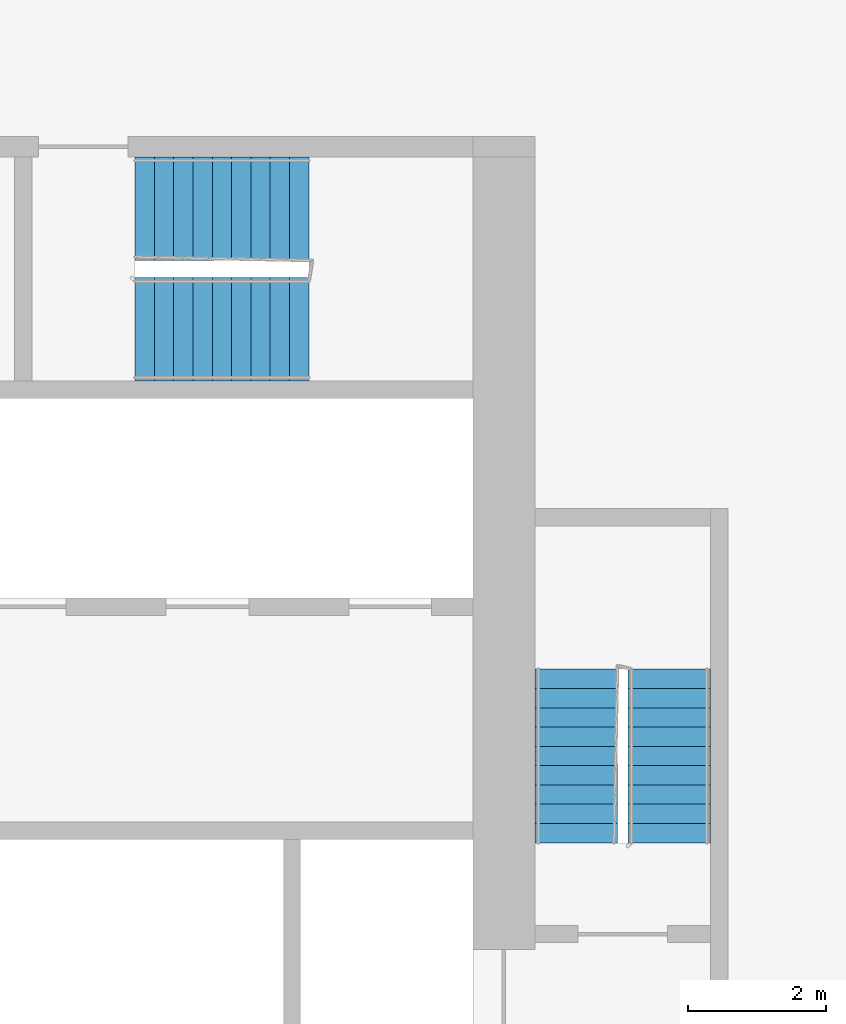
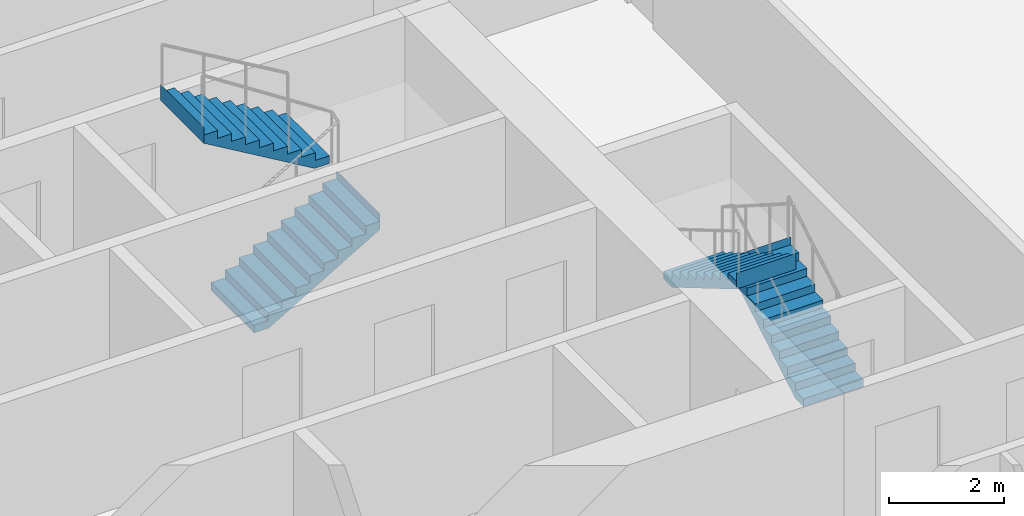
# One storey, part 11 of 12: 4 stair flights, 2 elements without a shape of their own.
"""IFC4 building model written with IfcOpenShell, lengths in metres."""

from ifc_helpers import new_model, si_unit, direction, frame, origin, place, context, subcontext, project, spatial, faceted_brep, material, type_object, element, aggregate, save


model = new_model("IFC4")

# Units and contexts
model_context = context("Model", 3, precision=1e-05, world=origin(), true_north=direction((0.0, 1.0)))
body_context = subcontext(model_context, "Body", "Model", "MODEL_VIEW")
ifc_project = project(units=[si_unit("LENGTHUNIT", "METRE"), si_unit("AREAUNIT", "SQUARE_METRE"), si_unit("VOLUMEUNIT", "CUBIC_METRE"), si_unit("PLANEANGLEUNIT", "RADIAN"), si_unit("MASSUNIT", "GRAM", prefix="KILO")], contexts=[model_context])

# Site, building, storey
site_placement = place(None, origin())
site = spatial("IfcSite", under=ifc_project, at=site_placement, CompositionType="ELEMENT")
building_placement = place(site_placement, origin())
building = spatial("IfcBuilding", under=site, at=building_placement, Name="Kajstack Hotel Tower", CompositionType="ELEMENT")
storey_placement = place(building_placement, frame((0.0, 0.0, 66.60009765625)))
storey = spatial("IfcBuildingStorey", under=building, at=storey_placement, Name="L11", CompositionType="ELEMENT", Elevation=66.60009765625)

# Stair, stair flights
ifc_material = material(Name="Concrete C40/50", Category="concrete")
stair_type_1 = type_object("IfcStairType", Name="Exit stair 1200", PredefinedType="HALF_TURN_STAIR", material=ifc_material)
stair_1_placement = place(storey_placement, origin())
stair_1 = element("IfcStair", 1, at=stair_1_placement, inside=storey, type_object=stair_type_1, Name="L11 stair E1", PredefinedType="HALF_TURN_STAIR")
stair_flight_type_1 = type_object("IfcStairFlightType", Name="Exit stair flight 1200", PredefinedType="STRAIGHT", material=ifc_material)
stair_flight_1_placement = place(storey_placement, frame((33.449951171875, 5.25, 0.0), z_axis=(0.0, 0.0, 1.0), x_axis=(0.0, 1.0, 0.0)))
stair_flight_1 = element("IfcStairFlight", 2, at=stair_flight_1_placement, type_object=stair_flight_type_1, Name="E1 flight 1", NumberOfRisers=10, NumberOfTreads=9, PredefinedType="STRAIGHT", RiserHeight=0.165, TreadLength=0.28, context=body_context, shape_type="Brep", body=[
    faceted_brep([(0.295654296875, -0.60009765625, 0.0), (2.5205078125, -0.60009765625, 1.31103515625), (2.5205078125, -0.60009765625, 1.64990234375), (2.52001953125, -0.60009765625, 1.64990234375), (2.52001953125, -0.60009765625, 1.485107421875), (2.239990234375, -0.60009765625, 1.485107421875), (2.239990234375, -0.60009765625, 1.320068359375), (1.9599609375, -0.60009765625, 1.320068359375), (1.9599609375, -0.60009765625, 1.155029296875), (1.679931640625, -0.60009765625, 1.155029296875), (1.679931640625, -0.60009765625, 0.989990234375), (1.39990234375, -0.60009765625, 0.989990234375), (1.39990234375, -0.60009765625, 0.824951171875), (1.1201171875, -0.60009765625, 0.824951171875), (1.1201171875, -0.60009765625, 0.659912109375), (0.840087890625, -0.60009765625, 0.659912109375), (0.840087890625, -0.60009765625, 0.4951171875), (0.56005859375, -0.60009765625, 0.4951171875), (0.56005859375, -0.60009765625, 0.330078125), (0.280029296875, -0.60009765625, 0.330078125), (0.280029296875, -0.60009765625, 0.1650390625), (-0.00048828125, -0.60009765625, 0.1650390625), (-0.00048828125, -0.60009765625, 0.0), (-0.00048828125, 0.60009765625, 0.0), (-0.00048828125, 0.60009765625, 0.1650390625), (0.280029296875, 0.60009765625, 0.1650390625), (0.280029296875, 0.60009765625, 0.330078125), (0.56005859375, 0.60009765625, 0.330078125), (0.56005859375, 0.60009765625, 0.4951171875), (0.840087890625, 0.60009765625, 0.4951171875), (0.840087890625, 0.60009765625, 0.659912109375), (1.1201171875, 0.60009765625, 0.659912109375), (1.1201171875, 0.60009765625, 0.824951171875), (1.39990234375, 0.60009765625, 0.824951171875), (1.39990234375, 0.60009765625, 0.989990234375), (1.679931640625, 0.60009765625, 0.989990234375), (1.679931640625, 0.60009765625, 1.155029296875), (1.9599609375, 0.60009765625, 1.155029296875), (1.9599609375, 0.60009765625, 1.320068359375), (2.239990234375, 0.60009765625, 1.320068359375), (2.239990234375, 0.60009765625, 1.485107421875), (2.52001953125, 0.60009765625, 1.485107421875), (2.52001953125, 0.60009765625, 1.64990234375), (2.5205078125, 0.60009765625, 1.64990234375), (2.5205078125, 0.60009765625, 1.31103515625), (0.295654296875, 0.60009765625, 0.0), (-0.00048828125, -0.300048828125, 0.1650390625), (-0.00048828125, 0.0, 0.1650390625), (-0.00048828125, 0.300048828125, 0.1650390625), (-0.00048828125, 0.300048828125, 0.0), (-0.00048828125, 0.0, 0.0), (-0.00048828125, -0.300048828125, 0.0), (0.280029296875, -0.300048828125, 0.1650390625), (0.280029296875, 0.0, 0.1650390625), (0.280029296875, 0.300048828125, 0.1650390625), (0.280029296875, -0.300048828125, 0.330078125), (0.280029296875, 0.0, 0.330078125), (0.280029296875, 0.300048828125, 0.330078125), (0.56005859375, -0.300048828125, 0.330078125), (0.56005859375, 0.0, 0.330078125), (0.56005859375, 0.300048828125, 0.330078125), (0.56005859375, -0.300048828125, 0.4951171875), (0.56005859375, 0.0, 0.4951171875), (0.56005859375, 0.300048828125, 0.4951171875), (0.840087890625, -0.300048828125, 0.4951171875), (0.840087890625, 0.0, 0.4951171875), (0.840087890625, 0.300048828125, 0.4951171875), (0.840087890625, -0.300048828125, 0.659912109375), (0.840087890625, 0.0, 0.659912109375), (0.840087890625, 0.300048828125, 0.659912109375), (1.1201171875, -0.300048828125, 0.659912109375), (1.1201171875, 0.0, 0.659912109375), (1.1201171875, 0.300048828125, 0.659912109375), (1.1201171875, -0.300048828125, 0.824951171875), (1.1201171875, 0.0, 0.824951171875), (1.1201171875, 0.300048828125, 0.824951171875), (1.39990234375, -0.300048828125, 0.824951171875), (1.39990234375, 0.0, 0.824951171875), (1.39990234375, 0.300048828125, 0.824951171875), (1.39990234375, -0.300048828125, 0.989990234375), (1.39990234375, 0.0, 0.989990234375), (1.39990234375, 0.300048828125, 0.989990234375), (1.679931640625, -0.300048828125, 0.989990234375), (1.679931640625, 0.0, 0.989990234375), (1.679931640625, 0.300048828125, 0.989990234375), (1.679931640625, -0.300048828125, 1.155029296875), (1.679931640625, 0.0, 1.155029296875), (1.679931640625, 0.300048828125, 1.155029296875), (1.9599609375, -0.300048828125, 1.155029296875), (1.9599609375, 0.0, 1.155029296875), (1.9599609375, 0.300048828125, 1.155029296875), (1.9599609375, -0.300048828125, 1.320068359375), (1.9599609375, 0.0, 1.320068359375), (1.9599609375, 0.300048828125, 1.320068359375), (2.239990234375, -0.300048828125, 1.320068359375), (2.239990234375, 0.0, 1.320068359375), (2.239990234375, 0.300048828125, 1.320068359375), (2.239990234375, -0.300048828125, 1.485107421875), (2.239990234375, 0.0, 1.485107421875), (2.239990234375, 0.300048828125, 1.485107421875), (2.52001953125, -0.300048828125, 1.485107421875), (2.52001953125, 0.0, 1.485107421875), (2.52001953125, 0.300048828125, 1.485107421875), (2.52001953125, -0.300048828125, 1.64990234375), (2.52001953125, 0.0, 1.64990234375), (2.52001953125, 0.300048828125, 1.64990234375), (2.5205078125, -0.300048828125, 1.64990234375), (2.5205078125, 0.0, 1.64990234375), (2.5205078125, 0.300048828125, 1.64990234375), (2.5205078125, -0.300048828125, 1.31103515625), (2.5205078125, 0.0, 1.31103515625), (2.5205078125, 0.300048828125, 1.31103515625), (0.295654296875, -0.300048828125, 0.0), (0.295654296875, 0.0, 0.0), (0.295654296875, 0.300048828125, 0.0)], [[[0, 1, 2, 3, 4, 5, 6, 7, 8, 9, 10, 11, 12, 13, 14, 15, 16, 17, 18, 19, 20, 21, 22]], [[23, 24, 25, 26, 27, 28, 29, 30, 31, 32, 33, 34, 35, 36, 37, 38, 39, 40, 41, 42, 43, 44, 45]], [[21, 46, 47, 48, 24, 23, 49, 50, 51, 22]], [[20, 52, 53, 54, 25, 24, 48, 47, 46, 21]], [[19, 55, 56, 57, 26, 25, 54, 53, 52, 20]], [[18, 58, 59, 60, 27, 26, 57, 56, 55, 19]], [[17, 61, 62, 63, 28, 27, 60, 59, 58, 18]], [[16, 64, 65, 66, 29, 28, 63, 62, 61, 17]], [[15, 67, 68, 69, 30, 29, 66, 65, 64, 16]], [[14, 70, 71, 72, 31, 30, 69, 68, 67, 15]], [[13, 73, 74, 75, 32, 31, 72, 71, 70, 14]], [[12, 76, 77, 78, 33, 32, 75, 74, 73, 13]], [[11, 79, 80, 81, 34, 33, 78, 77, 76, 12]], [[10, 82, 83, 84, 35, 34, 81, 80, 79, 11]], [[9, 85, 86, 87, 36, 35, 84, 83, 82, 10]], [[8, 88, 89, 90, 37, 36, 87, 86, 85, 9]], [[7, 91, 92, 93, 38, 37, 90, 89, 88, 8]], [[6, 94, 95, 96, 39, 38, 93, 92, 91, 7]], [[5, 97, 98, 99, 40, 39, 96, 95, 94, 6]], [[4, 100, 101, 102, 41, 40, 99, 98, 97, 5]], [[3, 103, 104, 105, 42, 41, 102, 101, 100, 4]], [[2, 106, 107, 108, 43, 42, 105, 104, 103, 3]], [[1, 109, 110, 111, 44, 43, 108, 107, 106, 2]], [[0, 112, 113, 114, 45, 44, 111, 110, 109, 1]], [[22, 51, 50, 49, 23, 45, 114, 113, 112, 0]]]),
])
stair_flight_2_placement = place(storey_placement, frame((32.10009765625, 7.77001953125, 1.64990234375), z_axis=(0.0, 0.0, 1.0), x_axis=(0.0, -1.0, 0.0)))
stair_flight_2 = element("IfcStairFlight", 3, at=stair_flight_2_placement, type_object=stair_flight_type_1, Name="E1 flight 2", NumberOfRisers=10, NumberOfTreads=9, PredefinedType="STRAIGHT", RiserHeight=0.165, TreadLength=0.28, context=body_context, shape_type="Brep", body=[
    faceted_brep([(0.295654296875, -0.60009765625, 0.0), (2.5205078125, -0.60009765625, 1.31103515625), (2.5205078125, -0.60009765625, 1.64990234375), (2.52001953125, -0.60009765625, 1.64990234375), (2.52001953125, -0.60009765625, 1.485107421875), (2.239990234375, -0.60009765625, 1.485107421875), (2.239990234375, -0.60009765625, 1.320068359375), (1.9599609375, -0.60009765625, 1.320068359375), (1.9599609375, -0.60009765625, 1.155029296875), (1.679931640625, -0.60009765625, 1.155029296875), (1.679931640625, -0.60009765625, 0.989990234375), (1.39990234375, -0.60009765625, 0.989990234375), (1.39990234375, -0.60009765625, 0.824951171875), (1.1201171875, -0.60009765625, 0.824951171875), (1.1201171875, -0.60009765625, 0.659912109375), (0.840087890625, -0.60009765625, 0.659912109375), (0.840087890625, -0.60009765625, 0.4951171875), (0.56005859375, -0.60009765625, 0.4951171875), (0.56005859375, -0.60009765625, 0.330078125), (0.280029296875, -0.60009765625, 0.330078125), (0.280029296875, -0.60009765625, 0.1650390625), (-0.00048828125, -0.60009765625, 0.1650390625), (-0.00048828125, -0.60009765625, 0.0), (-0.00048828125, 0.60009765625, 0.0), (-0.00048828125, 0.60009765625, 0.1650390625), (0.280029296875, 0.60009765625, 0.1650390625), (0.280029296875, 0.60009765625, 0.330078125), (0.56005859375, 0.60009765625, 0.330078125), (0.56005859375, 0.60009765625, 0.4951171875), (0.840087890625, 0.60009765625, 0.4951171875), (0.840087890625, 0.60009765625, 0.659912109375), (1.1201171875, 0.60009765625, 0.659912109375), (1.1201171875, 0.60009765625, 0.824951171875), (1.39990234375, 0.60009765625, 0.824951171875), (1.39990234375, 0.60009765625, 0.989990234375), (1.679931640625, 0.60009765625, 0.989990234375), (1.679931640625, 0.60009765625, 1.155029296875), (1.9599609375, 0.60009765625, 1.155029296875), (1.9599609375, 0.60009765625, 1.320068359375), (2.239990234375, 0.60009765625, 1.320068359375), (2.239990234375, 0.60009765625, 1.485107421875), (2.52001953125, 0.60009765625, 1.485107421875), (2.52001953125, 0.60009765625, 1.64990234375), (2.5205078125, 0.60009765625, 1.64990234375), (2.5205078125, 0.60009765625, 1.31103515625), (0.295654296875, 0.60009765625, 0.0), (-0.00048828125, -0.300048828125, 0.1650390625), (-0.00048828125, 0.0, 0.1650390625), (-0.00048828125, 0.300048828125, 0.1650390625), (-0.00048828125, 0.300048828125, 0.0), (-0.00048828125, 0.0, 0.0), (-0.00048828125, -0.300048828125, 0.0), (0.280029296875, -0.300048828125, 0.1650390625), (0.280029296875, 0.0, 0.1650390625), (0.280029296875, 0.300048828125, 0.1650390625), (0.280029296875, -0.300048828125, 0.330078125), (0.280029296875, 0.0, 0.330078125), (0.280029296875, 0.300048828125, 0.330078125), (0.56005859375, -0.300048828125, 0.330078125), (0.56005859375, 0.0, 0.330078125), (0.56005859375, 0.300048828125, 0.330078125), (0.56005859375, -0.300048828125, 0.4951171875), (0.56005859375, 0.0, 0.4951171875), (0.56005859375, 0.300048828125, 0.4951171875), (0.840087890625, -0.300048828125, 0.4951171875), (0.840087890625, 0.0, 0.4951171875), (0.840087890625, 0.300048828125, 0.4951171875), (0.840087890625, -0.300048828125, 0.659912109375), (0.840087890625, 0.0, 0.659912109375), (0.840087890625, 0.300048828125, 0.659912109375), (1.1201171875, -0.300048828125, 0.659912109375), (1.1201171875, 0.0, 0.659912109375), (1.1201171875, 0.300048828125, 0.659912109375), (1.1201171875, -0.300048828125, 0.824951171875), (1.1201171875, 0.0, 0.824951171875), (1.1201171875, 0.300048828125, 0.824951171875), (1.39990234375, -0.300048828125, 0.824951171875), (1.39990234375, 0.0, 0.824951171875), (1.39990234375, 0.300048828125, 0.824951171875), (1.39990234375, -0.300048828125, 0.989990234375), (1.39990234375, 0.0, 0.989990234375), (1.39990234375, 0.300048828125, 0.989990234375), (1.679931640625, -0.300048828125, 0.989990234375), (1.679931640625, 0.0, 0.989990234375), (1.679931640625, 0.300048828125, 0.989990234375), (1.679931640625, -0.300048828125, 1.155029296875), (1.679931640625, 0.0, 1.155029296875), (1.679931640625, 0.300048828125, 1.155029296875), (1.9599609375, -0.300048828125, 1.155029296875), (1.9599609375, 0.0, 1.155029296875), (1.9599609375, 0.300048828125, 1.155029296875), (1.9599609375, -0.300048828125, 1.320068359375), (1.9599609375, 0.0, 1.320068359375), (1.9599609375, 0.300048828125, 1.320068359375), (2.239990234375, -0.300048828125, 1.320068359375), (2.239990234375, 0.0, 1.320068359375), (2.239990234375, 0.300048828125, 1.320068359375), (2.239990234375, -0.300048828125, 1.485107421875), (2.239990234375, 0.0, 1.485107421875), (2.239990234375, 0.300048828125, 1.485107421875), (2.52001953125, -0.300048828125, 1.485107421875), (2.52001953125, 0.0, 1.485107421875), (2.52001953125, 0.300048828125, 1.485107421875), (2.52001953125, -0.300048828125, 1.64990234375), (2.52001953125, 0.0, 1.64990234375), (2.52001953125, 0.300048828125, 1.64990234375), (2.5205078125, -0.300048828125, 1.64990234375), (2.5205078125, 0.0, 1.64990234375), (2.5205078125, 0.300048828125, 1.64990234375), (2.5205078125, -0.300048828125, 1.31103515625), (2.5205078125, 0.0, 1.31103515625), (2.5205078125, 0.300048828125, 1.31103515625), (0.295654296875, -0.300048828125, 0.0), (0.295654296875, 0.0, 0.0), (0.295654296875, 0.300048828125, 0.0)], [[[0, 1, 2, 3, 4, 5, 6, 7, 8, 9, 10, 11, 12, 13, 14, 15, 16, 17, 18, 19, 20, 21, 22]], [[23, 24, 25, 26, 27, 28, 29, 30, 31, 32, 33, 34, 35, 36, 37, 38, 39, 40, 41, 42, 43, 44, 45]], [[21, 46, 47, 48, 24, 23, 49, 50, 51, 22]], [[20, 52, 53, 54, 25, 24, 48, 47, 46, 21]], [[19, 55, 56, 57, 26, 25, 54, 53, 52, 20]], [[18, 58, 59, 60, 27, 26, 57, 56, 55, 19]], [[17, 61, 62, 63, 28, 27, 60, 59, 58, 18]], [[16, 64, 65, 66, 29, 28, 63, 62, 61, 17]], [[15, 67, 68, 69, 30, 29, 66, 65, 64, 16]], [[14, 70, 71, 72, 31, 30, 69, 68, 67, 15]], [[13, 73, 74, 75, 32, 31, 72, 71, 70, 14]], [[12, 76, 77, 78, 33, 32, 75, 74, 73, 13]], [[11, 79, 80, 81, 34, 33, 78, 77, 76, 12]], [[10, 82, 83, 84, 35, 34, 81, 80, 79, 11]], [[9, 85, 86, 87, 36, 35, 84, 83, 82, 10]], [[8, 88, 89, 90, 37, 36, 87, 86, 85, 9]], [[7, 91, 92, 93, 38, 37, 90, 89, 88, 8]], [[6, 94, 95, 96, 39, 38, 93, 92, 91, 7]], [[5, 97, 98, 99, 40, 39, 96, 95, 94, 6]], [[4, 100, 101, 102, 41, 40, 99, 98, 97, 5]], [[3, 103, 104, 105, 42, 41, 102, 101, 100, 4]], [[2, 106, 107, 108, 43, 42, 105, 104, 103, 3]], [[1, 109, 110, 111, 44, 43, 108, 107, 106, 2]], [[0, 112, 113, 114, 45, 44, 111, 110, 109, 1]], [[22, 51, 50, 49, 23, 45, 114, 113, 112, 0]]]),
])
aggregate(stair_1, [stair_flight_1, stair_flight_2])

stair_type_2 = type_object("IfcStairType", Name="Exit stair 1500", PredefinedType="HALF_TURN_STAIR", material=ifc_material)
stair_2_placement = place(storey_placement, origin())
stair_2 = element("IfcStair", 4, at=stair_2_placement, inside=storey, type_object=stair_type_2, Name="L11 stair E3", PredefinedType="HALF_TURN_STAIR")
stair_flight_type_2 = type_object("IfcStairFlightType", Name="Exit stair flight 1500", PredefinedType="STRAIGHT", material=ifc_material)
stair_flight_3_placement = place(storey_placement, frame((25.699951171875, 12.699951171875, 0.0), z_axis=(0.0, 0.0, 1.0), x_axis=(1.0, 0.0, 0.0)))
stair_flight_3 = element("IfcStairFlight", 5, at=stair_flight_3_placement, type_object=stair_flight_type_2, Name="E3 flight 1", NumberOfRisers=10, NumberOfTreads=9, PredefinedType="STRAIGHT", RiserHeight=0.165, TreadLength=0.28, context=body_context, shape_type="Brep", body=[
    faceted_brep([(0.295654296875, -0.75, 0.0), (2.5205078125, -0.75, 1.31103515625), (2.5205078125, -0.75, 1.64990234375), (2.52001953125, -0.75, 1.64990234375), (2.52001953125, -0.75, 1.485107421875), (2.239990234375, -0.75, 1.485107421875), (2.239990234375, -0.75, 1.320068359375), (1.9599609375, -0.75, 1.320068359375), (1.9599609375, -0.75, 1.155029296875), (1.679931640625, -0.75, 1.155029296875), (1.679931640625, -0.75, 0.989990234375), (1.39990234375, -0.75, 0.989990234375), (1.39990234375, -0.75, 0.824951171875), (1.1201171875, -0.75, 0.824951171875), (1.1201171875, -0.75, 0.659912109375), (0.840087890625, -0.75, 0.659912109375), (0.840087890625, -0.75, 0.4951171875), (0.56005859375, -0.75, 0.4951171875), (0.56005859375, -0.75, 0.330078125), (0.280029296875, -0.75, 0.330078125), (0.280029296875, -0.75, 0.1650390625), (-0.00048828125, -0.75, 0.1650390625), (-0.00048828125, -0.75, 0.0), (-0.00048828125, 0.75, 0.0), (-0.00048828125, 0.75, 0.1650390625), (0.280029296875, 0.75, 0.1650390625), (0.280029296875, 0.75, 0.330078125), (0.56005859375, 0.75, 0.330078125), (0.56005859375, 0.75, 0.4951171875), (0.840087890625, 0.75, 0.4951171875), (0.840087890625, 0.75, 0.659912109375), (1.1201171875, 0.75, 0.659912109375), (1.1201171875, 0.75, 0.824951171875), (1.39990234375, 0.75, 0.824951171875), (1.39990234375, 0.75, 0.989990234375), (1.679931640625, 0.75, 0.989990234375), (1.679931640625, 0.75, 1.155029296875), (1.9599609375, 0.75, 1.155029296875), (1.9599609375, 0.75, 1.320068359375), (2.239990234375, 0.75, 1.320068359375), (2.239990234375, 0.75, 1.485107421875), (2.52001953125, 0.75, 1.485107421875), (2.52001953125, 0.75, 1.64990234375), (2.5205078125, 0.75, 1.64990234375), (2.5205078125, 0.75, 1.31103515625), (0.295654296875, 0.75, 0.0), (-0.00048828125, -0.375, 0.1650390625), (-0.00048828125, 0.0, 0.1650390625), (-0.00048828125, 0.375, 0.1650390625), (-0.00048828125, 0.375, 0.0), (-0.00048828125, 0.0, 0.0), (-0.00048828125, -0.375, 0.0), (0.280029296875, -0.375, 0.1650390625), (0.280029296875, 0.0, 0.1650390625), (0.280029296875, 0.375, 0.1650390625), (0.280029296875, -0.375, 0.330078125), (0.280029296875, 0.0, 0.330078125), (0.280029296875, 0.375, 0.330078125), (0.56005859375, -0.375, 0.330078125), (0.56005859375, 0.0, 0.330078125), (0.56005859375, 0.375, 0.330078125), (0.56005859375, -0.375, 0.4951171875), (0.56005859375, 0.0, 0.4951171875), (0.56005859375, 0.375, 0.4951171875), (0.840087890625, -0.375, 0.4951171875), (0.840087890625, 0.0, 0.4951171875), (0.840087890625, 0.375, 0.4951171875), (0.840087890625, -0.375, 0.659912109375), (0.840087890625, 0.0, 0.659912109375), (0.840087890625, 0.375, 0.659912109375), (1.1201171875, -0.375, 0.659912109375), (1.1201171875, 0.0, 0.659912109375), (1.1201171875, 0.375, 0.659912109375), (1.1201171875, -0.375, 0.824951171875), (1.1201171875, 0.0, 0.824951171875), (1.1201171875, 0.375, 0.824951171875), (1.39990234375, -0.375, 0.824951171875), (1.39990234375, 0.0, 0.824951171875), (1.39990234375, 0.375, 0.824951171875), (1.39990234375, -0.375, 0.989990234375), (1.39990234375, 0.0, 0.989990234375), (1.39990234375, 0.375, 0.989990234375), (1.679931640625, -0.375, 0.989990234375), (1.679931640625, 0.0, 0.989990234375), (1.679931640625, 0.375, 0.989990234375), (1.679931640625, -0.375, 1.155029296875), (1.679931640625, 0.0, 1.155029296875), (1.679931640625, 0.375, 1.155029296875), (1.9599609375, -0.375, 1.155029296875), (1.9599609375, 0.0, 1.155029296875), (1.9599609375, 0.375, 1.155029296875), (1.9599609375, -0.375, 1.320068359375), (1.9599609375, 0.0, 1.320068359375), (1.9599609375, 0.375, 1.320068359375), (2.239990234375, -0.375, 1.320068359375), (2.239990234375, 0.0, 1.320068359375), (2.239990234375, 0.375, 1.320068359375), (2.239990234375, -0.375, 1.485107421875), (2.239990234375, 0.0, 1.485107421875), (2.239990234375, 0.375, 1.485107421875), (2.52001953125, -0.375, 1.485107421875), (2.52001953125, 0.0, 1.485107421875), (2.52001953125, 0.375, 1.485107421875), (2.52001953125, -0.375, 1.64990234375), (2.52001953125, 0.0, 1.64990234375), (2.52001953125, 0.375, 1.64990234375), (2.5205078125, -0.375, 1.64990234375), (2.5205078125, 0.0, 1.64990234375), (2.5205078125, 0.375, 1.64990234375), (2.5205078125, -0.375, 1.31103515625), (2.5205078125, 0.0, 1.31103515625), (2.5205078125, 0.375, 1.31103515625), (0.295654296875, -0.375, 0.0), (0.295654296875, 0.0, 0.0), (0.295654296875, 0.375, 0.0)], [[[0, 1, 2, 3, 4, 5, 6, 7, 8, 9, 10, 11, 12, 13, 14, 15, 16, 17, 18, 19, 20, 21, 22]], [[23, 24, 25, 26, 27, 28, 29, 30, 31, 32, 33, 34, 35, 36, 37, 38, 39, 40, 41, 42, 43, 44, 45]], [[21, 46, 47, 48, 24, 23, 49, 50, 51, 22]], [[20, 52, 53, 54, 25, 24, 48, 47, 46, 21]], [[19, 55, 56, 57, 26, 25, 54, 53, 52, 20]], [[18, 58, 59, 60, 27, 26, 57, 56, 55, 19]], [[17, 61, 62, 63, 28, 27, 60, 59, 58, 18]], [[16, 64, 65, 66, 29, 28, 63, 62, 61, 17]], [[15, 67, 68, 69, 30, 29, 66, 65, 64, 16]], [[14, 70, 71, 72, 31, 30, 69, 68, 67, 15]], [[13, 73, 74, 75, 32, 31, 72, 71, 70, 14]], [[12, 76, 77, 78, 33, 32, 75, 74, 73, 13]], [[11, 79, 80, 81, 34, 33, 78, 77, 76, 12]], [[10, 82, 83, 84, 35, 34, 81, 80, 79, 11]], [[9, 85, 86, 87, 36, 35, 84, 83, 82, 10]], [[8, 88, 89, 90, 37, 36, 87, 86, 85, 9]], [[7, 91, 92, 93, 38, 37, 90, 89, 88, 8]], [[6, 94, 95, 96, 39, 38, 93, 92, 91, 7]], [[5, 97, 98, 99, 40, 39, 96, 95, 94, 6]], [[4, 100, 101, 102, 41, 40, 99, 98, 97, 5]], [[3, 103, 104, 105, 42, 41, 102, 101, 100, 4]], [[2, 106, 107, 108, 43, 42, 105, 104, 103, 3]], [[1, 109, 110, 111, 44, 43, 108, 107, 106, 2]], [[0, 112, 113, 114, 45, 44, 111, 110, 109, 1]], [[22, 51, 50, 49, 23, 45, 114, 113, 112, 0]]]),
])
stair_flight_4_placement = place(storey_placement, frame((28.219970703125, 14.449951171875, 1.64990234375), z_axis=(0.0, 0.0, 1.0), x_axis=(-1.0, 0.0, 0.0)))
stair_flight_4 = element("IfcStairFlight", 6, at=stair_flight_4_placement, type_object=stair_flight_type_2, Name="E3 flight 2", NumberOfRisers=10, NumberOfTreads=9, PredefinedType="STRAIGHT", RiserHeight=0.165, TreadLength=0.28, context=body_context, shape_type="Brep", body=[
    faceted_brep([(0.295654296875, -0.75, 0.0), (2.5205078125, -0.75, 1.31103515625), (2.5205078125, -0.75, 1.64990234375), (2.52001953125, -0.75, 1.64990234375), (2.52001953125, -0.75, 1.485107421875), (2.239990234375, -0.75, 1.485107421875), (2.239990234375, -0.75, 1.320068359375), (1.9599609375, -0.75, 1.320068359375), (1.9599609375, -0.75, 1.155029296875), (1.679931640625, -0.75, 1.155029296875), (1.679931640625, -0.75, 0.989990234375), (1.39990234375, -0.75, 0.989990234375), (1.39990234375, -0.75, 0.824951171875), (1.1201171875, -0.75, 0.824951171875), (1.1201171875, -0.75, 0.659912109375), (0.840087890625, -0.75, 0.659912109375), (0.840087890625, -0.75, 0.4951171875), (0.56005859375, -0.75, 0.4951171875), (0.56005859375, -0.75, 0.330078125), (0.280029296875, -0.75, 0.330078125), (0.280029296875, -0.75, 0.1650390625), (-0.00048828125, -0.75, 0.1650390625), (-0.00048828125, -0.75, 0.0), (-0.00048828125, 0.75, 0.0), (-0.00048828125, 0.75, 0.1650390625), (0.280029296875, 0.75, 0.1650390625), (0.280029296875, 0.75, 0.330078125), (0.56005859375, 0.75, 0.330078125), (0.56005859375, 0.75, 0.4951171875), (0.840087890625, 0.75, 0.4951171875), (0.840087890625, 0.75, 0.659912109375), (1.1201171875, 0.75, 0.659912109375), (1.1201171875, 0.75, 0.824951171875), (1.39990234375, 0.75, 0.824951171875), (1.39990234375, 0.75, 0.989990234375), (1.679931640625, 0.75, 0.989990234375), (1.679931640625, 0.75, 1.155029296875), (1.9599609375, 0.75, 1.155029296875), (1.9599609375, 0.75, 1.320068359375), (2.239990234375, 0.75, 1.320068359375), (2.239990234375, 0.75, 1.485107421875), (2.52001953125, 0.75, 1.485107421875), (2.52001953125, 0.75, 1.64990234375), (2.5205078125, 0.75, 1.64990234375), (2.5205078125, 0.75, 1.31103515625), (0.295654296875, 0.75, 0.0), (-0.00048828125, -0.375, 0.1650390625), (-0.00048828125, 0.0, 0.1650390625), (-0.00048828125, 0.375, 0.1650390625), (-0.00048828125, 0.375, 0.0), (-0.00048828125, 0.0, 0.0), (-0.00048828125, -0.375, 0.0), (0.280029296875, -0.375, 0.1650390625), (0.280029296875, 0.0, 0.1650390625), (0.280029296875, 0.375, 0.1650390625), (0.280029296875, -0.375, 0.330078125), (0.280029296875, 0.0, 0.330078125), (0.280029296875, 0.375, 0.330078125), (0.56005859375, -0.375, 0.330078125), (0.56005859375, 0.0, 0.330078125), (0.56005859375, 0.375, 0.330078125), (0.56005859375, -0.375, 0.4951171875), (0.56005859375, 0.0, 0.4951171875), (0.56005859375, 0.375, 0.4951171875), (0.840087890625, -0.375, 0.4951171875), (0.840087890625, 0.0, 0.4951171875), (0.840087890625, 0.375, 0.4951171875), (0.840087890625, -0.375, 0.659912109375), (0.840087890625, 0.0, 0.659912109375), (0.840087890625, 0.375, 0.659912109375), (1.1201171875, -0.375, 0.659912109375), (1.1201171875, 0.0, 0.659912109375), (1.1201171875, 0.375, 0.659912109375), (1.1201171875, -0.375, 0.824951171875), (1.1201171875, 0.0, 0.824951171875), (1.1201171875, 0.375, 0.824951171875), (1.39990234375, -0.375, 0.824951171875), (1.39990234375, 0.0, 0.824951171875), (1.39990234375, 0.375, 0.824951171875), (1.39990234375, -0.375, 0.989990234375), (1.39990234375, 0.0, 0.989990234375), (1.39990234375, 0.375, 0.989990234375), (1.679931640625, -0.375, 0.989990234375), (1.679931640625, 0.0, 0.989990234375), (1.679931640625, 0.375, 0.989990234375), (1.679931640625, -0.375, 1.155029296875), (1.679931640625, 0.0, 1.155029296875), (1.679931640625, 0.375, 1.155029296875), (1.9599609375, -0.375, 1.155029296875), (1.9599609375, 0.0, 1.155029296875), (1.9599609375, 0.375, 1.155029296875), (1.9599609375, -0.375, 1.320068359375), (1.9599609375, 0.0, 1.320068359375), (1.9599609375, 0.375, 1.320068359375), (2.239990234375, -0.375, 1.320068359375), (2.239990234375, 0.0, 1.320068359375), (2.239990234375, 0.375, 1.320068359375), (2.239990234375, -0.375, 1.485107421875), (2.239990234375, 0.0, 1.485107421875), (2.239990234375, 0.375, 1.485107421875), (2.52001953125, -0.375, 1.485107421875), (2.52001953125, 0.0, 1.485107421875), (2.52001953125, 0.375, 1.485107421875), (2.52001953125, -0.375, 1.64990234375), (2.52001953125, 0.0, 1.64990234375), (2.52001953125, 0.375, 1.64990234375), (2.5205078125, -0.375, 1.64990234375), (2.5205078125, 0.0, 1.64990234375), (2.5205078125, 0.375, 1.64990234375), (2.5205078125, -0.375, 1.31103515625), (2.5205078125, 0.0, 1.31103515625), (2.5205078125, 0.375, 1.31103515625), (0.295654296875, -0.375, 0.0), (0.295654296875, 0.0, 0.0), (0.295654296875, 0.375, 0.0)], [[[0, 1, 2, 3, 4, 5, 6, 7, 8, 9, 10, 11, 12, 13, 14, 15, 16, 17, 18, 19, 20, 21, 22]], [[23, 24, 25, 26, 27, 28, 29, 30, 31, 32, 33, 34, 35, 36, 37, 38, 39, 40, 41, 42, 43, 44, 45]], [[21, 46, 47, 48, 24, 23, 49, 50, 51, 22]], [[20, 52, 53, 54, 25, 24, 48, 47, 46, 21]], [[19, 55, 56, 57, 26, 25, 54, 53, 52, 20]], [[18, 58, 59, 60, 27, 26, 57, 56, 55, 19]], [[17, 61, 62, 63, 28, 27, 60, 59, 58, 18]], [[16, 64, 65, 66, 29, 28, 63, 62, 61, 17]], [[15, 67, 68, 69, 30, 29, 66, 65, 64, 16]], [[14, 70, 71, 72, 31, 30, 69, 68, 67, 15]], [[13, 73, 74, 75, 32, 31, 72, 71, 70, 14]], [[12, 76, 77, 78, 33, 32, 75, 74, 73, 13]], [[11, 79, 80, 81, 34, 33, 78, 77, 76, 12]], [[10, 82, 83, 84, 35, 34, 81, 80, 79, 11]], [[9, 85, 86, 87, 36, 35, 84, 83, 82, 10]], [[8, 88, 89, 90, 37, 36, 87, 86, 85, 9]], [[7, 91, 92, 93, 38, 37, 90, 89, 88, 8]], [[6, 94, 95, 96, 39, 38, 93, 92, 91, 7]], [[5, 97, 98, 99, 40, 39, 96, 95, 94, 6]], [[4, 100, 101, 102, 41, 40, 99, 98, 97, 5]], [[3, 103, 104, 105, 42, 41, 102, 101, 100, 4]], [[2, 106, 107, 108, 43, 42, 105, 104, 103, 3]], [[1, 109, 110, 111, 44, 43, 108, 107, 106, 2]], [[0, 112, 113, 114, 45, 44, 111, 110, 109, 1]], [[22, 51, 50, 49, 23, 45, 114, 113, 112, 0]]]),
])
aggregate(stair_2, [stair_flight_3, stair_flight_4])

save(model, "model.ifc")
